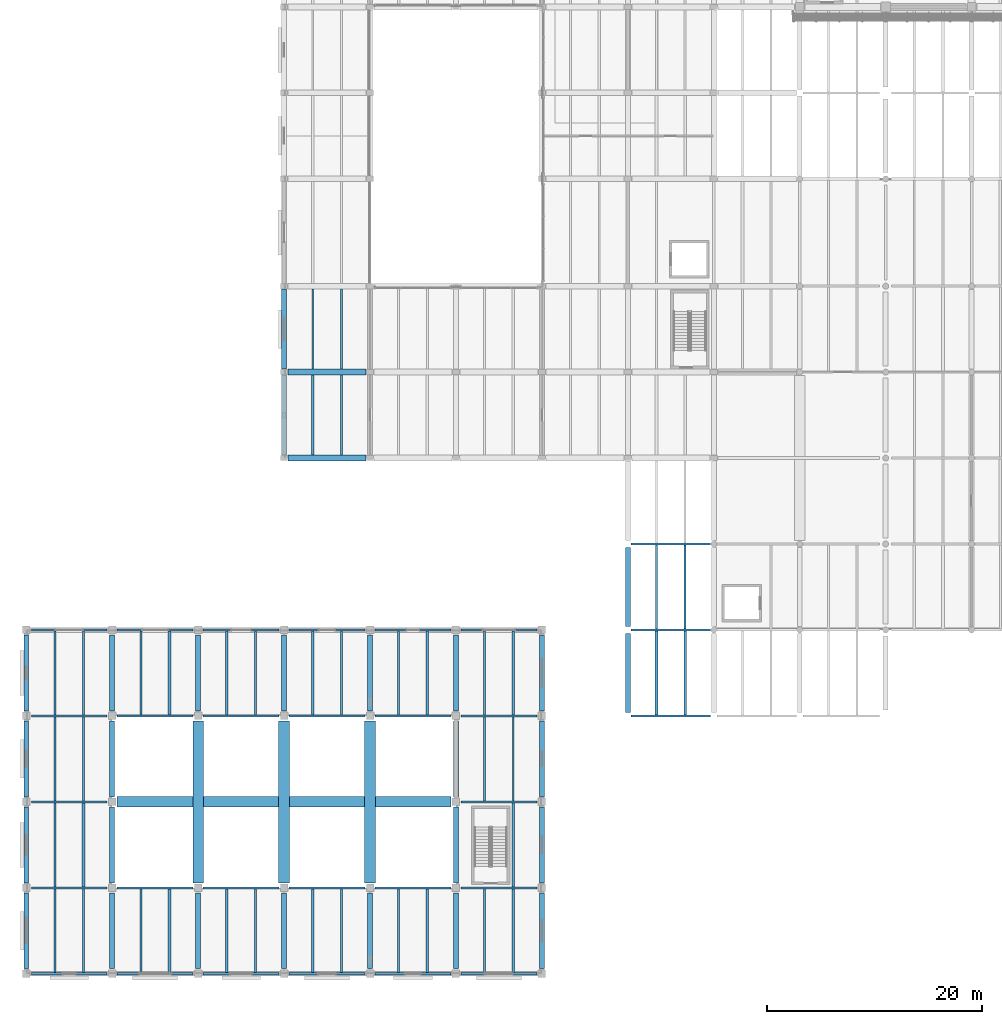
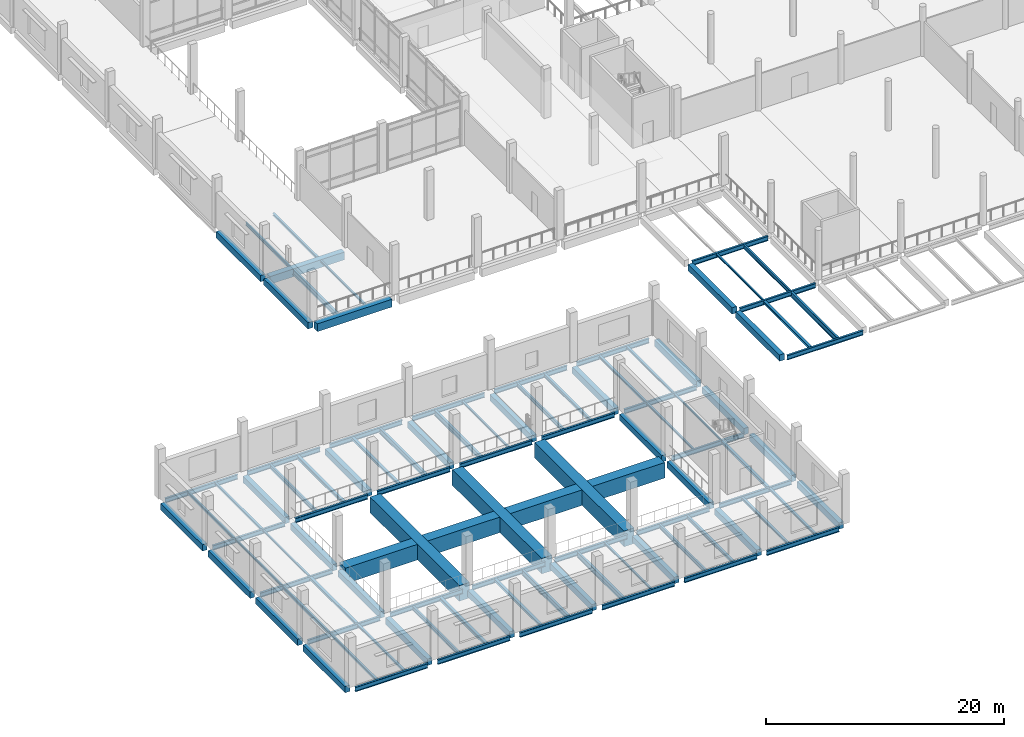
# One storey, part 4 of 61: 100 beams.
"""IFC4 building model written with IfcOpenShell, lengths in metres."""

from ifc_helpers import new_model, si_unit, direction, frame, origin, origin_2d, place, context, subcontext, project, spatial, rectangle, i_section, extrude, material, material_profile, profile_set, type_object, element, save


model = new_model("IFC4")

# Units and contexts
model_context = context("Model", 3, precision=1e-05, world=origin(), true_north=direction((0.0, 1.0)))
body_context = subcontext(model_context, "Body", "Model", "MODEL_VIEW")
ifc_project = project(units=[si_unit("LENGTHUNIT", "METRE"), si_unit("AREAUNIT", "SQUARE_METRE"), si_unit("VOLUMEUNIT", "CUBIC_METRE"), si_unit("PLANEANGLEUNIT", "RADIAN"), si_unit("MASSUNIT", "GRAM", prefix="KILO")], contexts=[model_context])

# Site, building, storey
site_placement = place(None, origin())
site = spatial("IfcSite", under=ifc_project, at=site_placement, CompositionType="ELEMENT")
building_placement = place(site_placement, origin())
building = spatial("IfcBuilding", under=site, at=building_placement, Name="Pecanmere Concourse Central Library", CompositionType="ELEMENT")
storey_placement = place(building_placement, frame((0.0, 0.0, 5.39990234375)))
storey = spatial("IfcBuildingStorey", under=building, at=storey_placement, Name="L02", CompositionType="ELEMENT", Elevation=5.39990234375)

# Beams
ifc_material_1 = material(Name="Concrete C40/50", Category="concrete")
ifc_material_profile_1 = material_profile(ifc_material_1, rectangle(XDim=0.4599609375, YDim=0.64990234375, at=origin_2d()), Name="RC 460x650")
ifc_profile_set_1 = profile_set([ifc_material_profile_1], Name="Concrete C40/50")
beam_type_1 = type_object("IfcBeamType", Name="GRD_460x650", PredefinedType="USERDEFINED", material=ifc_profile_set_1)
for number, where, z_axis, x_axis, name in (
    (1, (0.0, 0.469970703125, -0.69482421875), (0.0, 1.0, 0.0), (-1.0, 0.0, 0.0), "Primary Girder Y L02-0961"),
    (2, (0.0, 8.469970703125, -0.69482421875), (0.0, 1.0, 0.0), (-1.0, 0.0, 0.0), "Primary Girder Y L02-0962"),
    (3, (0.0, 16.469970703125, -0.69482421875), (0.0, 1.0, 0.0), (-1.0, 0.0, 0.0), "Primary Girder Y L02-0963"),
    (4, (0.0, 24.469970703125, -0.69482421875), (0.0, 1.0, 0.0), (-1.0, 0.0, 0.0), "Primary Girder Y L02-0964"),
    (5, (8.0, 0.469970703125, -0.69482421875), (0.0, 1.0, 0.0), (-1.0, 0.0, 0.0), "Primary Girder Y L02-0965"),
    (6, (8.0, 8.469970703125, -0.69482421875), (0.0, 1.0, 0.0), (-1.0, 0.0, 0.0), "Primary Girder Y L02-0966"),
    (7, (8.0, 16.469970703125, -0.69482421875), (0.0, 1.0, 0.0), (-1.0, 0.0, 0.0), "Primary Girder Y L02-0967"),
    (8, (8.0, 24.469970703125, -0.69482421875), (0.0, 1.0, 0.0), (-1.0, 0.0, 0.0), "Primary Girder Y L02-0968"),
    (9, (16.0, 0.469970703125, -0.69482421875), (0.0, 1.0, 0.0), (-1.0, 0.0, 0.0), "Primary Girder Y L02-0969"),
    (10, (16.0, 24.469970703125, -0.69482421875), (0.0, 1.0, 0.0), (-1.0, 0.0, 0.0), "Primary Girder Y L02-0971"),
    (11, (24.0, 0.469970703125, -0.69482421875), (0.0, 1.0, 0.0), (-1.0, 0.0, 0.0), "Primary Girder Y L02-0972"),
    (12, (24.0, 24.469970703125, -0.69482421875), (0.0, 1.0, 0.0), (-1.0, 0.0, 0.0), "Primary Girder Y L02-0974"),
):
    element("IfcBeam", number, at=place(storey_placement, frame(where, z_axis=z_axis, x_axis=x_axis)), inside=storey, type_object=beam_type_1, Name=name, ObjectType="GIRDER", PredefinedType="USERDEFINED", context=body_context, shape_type="SweptSolid", body=[
        extrude(rectangle(XDim=0.4599609375, YDim=0.64990234375, at=origin_2d()), origin(), (0.0, 0.0, 1.0), 7.06005859375),
    ])
for number, where, z_axis, x_axis, name in (
    (13, (24.0, 48.27001953125, -0.69482421875), (0.0, 1.0, 0.0), (-1.0, 0.0, 0.0), "Primary Girder Y L02-0975"),
    (14, (24.0, 56.27001953125, -0.69482421875), (0.0, 1.0, 0.0), (-1.0, 0.0, 0.0), "Primary Girder Y L02-0976"),
):
    element("IfcBeam", number, at=place(storey_placement, frame(where, z_axis=z_axis, x_axis=x_axis)), inside=storey, type_object=beam_type_1, Name=name, ObjectType="GIRDER", PredefinedType="USERDEFINED", context=body_context, shape_type="SweptSolid", body=[
        extrude(rectangle(XDim=0.4599609375, YDim=0.64990234375, at=origin_2d()), origin(), (0.0, 0.0, 1.0), 7.4599609375),
    ])
for number, where, z_axis, x_axis, name in (
    (15, (32.0, 0.469970703125, -0.69482421875), (0.0, 1.0, 0.0), (-1.0, 0.0, 0.0), "Primary Girder Y L02-0982"),
    (16, (32.0, 24.469970703125, -0.69482421875), (0.0, 1.0, 0.0), (-1.0, 0.0, 0.0), "Primary Girder Y L02-0984"),
    (17, (40.0, 0.469970703125, -0.69482421875), (0.0, 1.0, 0.0), (-1.0, 0.0, 0.0), "Primary Girder Y L02-0992"),
    (18, (40.0, 8.469970703125, -0.69482421875), (0.0, 1.0, 0.0), (-1.0, 0.0, 0.0), "Primary Girder Y L02-0993"),
    (19, (40.0, 16.469970703125, -0.69482421875), (0.0, 1.0, 0.0), (-1.0, 0.0, 0.0), "Primary Girder Y L02-0994"),
    (20, (40.0, 24.469970703125, -0.69482421875), (0.0, 1.0, 0.0), (-1.0, 0.0, 0.0), "Primary Girder Y L02-0995"),
    (21, (48.0, 0.469970703125, -0.69482421875), (0.0, 1.0, 0.0), (-1.0, 0.0, 0.0), "Primary Girder Y L02-1000"),
    (22, (48.0, 8.469970703125, -0.69482421875), (0.0, 1.0, 0.0), (-1.0, 0.0, 0.0), "Primary Girder Y L02-1001"),
    (23, (48.0, 16.469970703125, -0.69482421875), (0.0, 1.0, 0.0), (-1.0, 0.0, 0.0), "Primary Girder Y L02-1002"),
    (24, (48.0, 24.469970703125, -0.69482421875), (0.0, 1.0, 0.0), (-1.0, 0.0, 0.0), "Primary Girder Y L02-1003"),
):
    element("IfcBeam", number, at=place(storey_placement, frame(where, z_axis=z_axis, x_axis=x_axis)), inside=storey, type_object=beam_type_1, Name=name, ObjectType="GIRDER", PredefinedType="USERDEFINED", context=body_context, shape_type="SweptSolid", body=[
        extrude(rectangle(XDim=0.4599609375, YDim=0.64990234375, at=origin_2d()), origin(), (0.0, 0.0, 1.0), 7.06005859375),
    ])
for number, where, z_axis, x_axis, name in (
    (25, (56.0, 24.31005859375, -0.69482421875), (0.0, 1.0, 0.0), (-1.0, 0.0, 0.0), "Primary Girder Y L02-1011"),
    (26, (56.0, 32.31005859375, -0.69482421875), (0.0, 1.0, 0.0), (-1.0, 0.0, 0.0), "Primary Girder Y L02-1012"),
):
    element("IfcBeam", number, at=place(storey_placement, frame(where, z_axis=z_axis, x_axis=x_axis)), inside=storey, type_object=beam_type_1, Name=name, ObjectType="GIRDER", PredefinedType="USERDEFINED", context=body_context, shape_type="SweptSolid", body=[
        extrude(rectangle(XDim=0.4599609375, YDim=0.64990234375, at=origin_2d()), origin(), (0.0, 0.0, 1.0), 7.3798828125),
    ])
ifc_material_2 = material(Name="Concrete C40/50", Category="concrete")
ifc_material_profile_2 = material_profile(ifc_material_2, rectangle(XDim=0.5400390625, YDim=0.800048828125, at=origin_2d()), Name="RC 540x800")
ifc_profile_set_2 = profile_set([ifc_material_profile_2], Name="Concrete C40/50")
beam_type_2 = type_object("IfcBeamType", Name="GRD_540x800", PredefinedType="USERDEFINED", material=ifc_profile_set_2)
for number, where, z_axis, x_axis, name in (
    (27, (24.3701171875, 48.0, -0.77001953125), (1.0, 0.0, 0.0), (0.0, 1.0, 0.0), "Primary Girder X L02-0838"),
    (28, (24.3701171875, 56.0, -0.77001953125), (1.0, 0.0, 0.0), (0.0, 1.0, 0.0), "Primary Girder X L02-0853"),
):
    element("IfcBeam", number, at=place(storey_placement, frame(where, z_axis=z_axis, x_axis=x_axis)), inside=storey, type_object=beam_type_2, Name=name, ObjectType="GIRDER", PredefinedType="USERDEFINED", context=body_context, shape_type="SweptSolid", body=[
        extrude(rectangle(XDim=0.5400390625, YDim=0.800048828125, at=origin_2d()), origin(), (0.0, 0.0, 1.0), 7.259765625),
    ])
ifc_material_3 = material(Name="Structural steel ASTM A992 Grade 50", Category="steel")
ifc_material_profile_3 = material_profile(ifc_material_3, i_section(OverallWidth=0.152099609375, OverallDepth=0.152099609375, WebThickness=0.005859375, FlangeThickness=0.006591796875, at=origin_2d()), Name="W150x22.5")
ifc_profile_set_3 = profile_set([ifc_material_profile_3], Name="Structural steel ASTM A992 Grade 50")
beam_type_3 = type_object("IfcBeamType", Name="SBM_W150x22", PredefinedType="LINTEL", material=ifc_profile_set_3)
for number, where, z_axis, x_axis, name in (
    (29, (5.333251953125, 16.096923828125, -0.44580078125), (0.0, 1.0, 0.0), (-1.0, 0.0, 0.0), "Secondary Floor Joist L02-1173"),
    (30, (45.333251953125, 16.096923828125, -0.44580078125), (0.0, 1.0, 0.0), (-1.0, 0.0, 0.0), "Secondary Floor Joist L02-1218"),
    (31, (58.666748046875, 32.096923828125, -0.44580078125), (0.0, 1.0, 0.0), (-1.0, 0.0, 0.0), "Secondary Floor Joist L02-1245"),
):
    element("IfcBeam", number, at=place(storey_placement, frame(where, z_axis=z_axis, x_axis=x_axis)), inside=storey, type_object=beam_type_3, Name=name, PredefinedType="LINTEL", context=body_context, shape_type="SweptSolid", body=[
        extrude(i_section(OverallWidth=0.152099609375, OverallDepth=0.152099609375, WebThickness=0.005859375, FlangeThickness=0.006591796875, at=origin_2d()), origin(), (0.0, 0.0, 1.0), 7.80615234375),
    ])
ifc_material_4 = material(Name="Structural steel ASTM A992 Grade 50", Category="steel")
ifc_material_profile_4 = material_profile(ifc_material_4, i_section(OverallWidth=0.1650390625, OverallDepth=0.200927734375, WebThickness=0.006103515625, FlangeThickness=0.01025390625, at=origin_2d()), Name="W200x35.9")
ifc_profile_set_4 = profile_set([ifc_material_profile_4], Name="Structural steel ASTM A992 Grade 50")
beam_type_4 = type_object("IfcBeamType", Name="SBM_W200x36", PredefinedType="LINTEL", material=ifc_profile_set_4)
for number, where, z_axis, x_axis, name in (
    (32, (2.666748046875, 16.096923828125, -0.470458984375), (0.0, 1.0, 0.0), (-1.0, 0.0, 0.0), "Secondary Floor Joist L02-1172"),
    (33, (29.333251953125, 0.096923828125, -0.470458984375), (0.0, 1.0, 0.0), (-1.0, 0.0, 0.0), "Secondary Floor Joist L02-1185"),
    (34, (29.333251953125, 24.096923828125, -0.470458984375), (0.0, 1.0, 0.0), (-1.0, 0.0, 0.0), "Secondary Floor Joist L02-1187"),
):
    element("IfcBeam", number, at=place(storey_placement, frame(where, z_axis=z_axis, x_axis=x_axis)), inside=storey, type_object=beam_type_4, Name=name, PredefinedType="LINTEL", context=body_context, shape_type="SweptSolid", body=[
        extrude(i_section(OverallWidth=0.1650390625, OverallDepth=0.200927734375, WebThickness=0.006103515625, FlangeThickness=0.01025390625, at=origin_2d()), origin(), (0.0, 0.0, 1.0), 7.80615234375),
    ])
beam_1_placement = place(storey_placement, frame((29.333251953125, 48.27001953125, -0.470458984375), z_axis=(0.0, 1.0, 0.0), x_axis=(-1.0, 0.0, 0.0)))
element("IfcBeam", 35, at=beam_1_placement, inside=storey, type_object=beam_type_4, Name="Secondary Floor Joist L02-1189", PredefinedType="LINTEL", context=body_context, shape_type="SweptSolid", body=[
    extrude(i_section(OverallWidth=0.1650390625, OverallDepth=0.200927734375, WebThickness=0.006103515625, FlangeThickness=0.01025390625, at=origin_2d()), origin(), (0.0, 0.0, 1.0), 7.4599609375),
])
beam_2_placement = place(storey_placement, frame((42.666748046875, 16.096923828125, -0.470458984375), z_axis=(0.0, 1.0, 0.0), x_axis=(-1.0, 0.0, 0.0)))
element("IfcBeam", 36, at=beam_2_placement, inside=storey, type_object=beam_type_4, Name="Secondary Floor Joist L02-1217", PredefinedType="LINTEL", context=body_context, shape_type="SweptSolid", body=[
    extrude(i_section(OverallWidth=0.1650390625, OverallDepth=0.200927734375, WebThickness=0.006103515625, FlangeThickness=0.01025390625, at=origin_2d()), origin(), (0.0, 0.0, 1.0), 7.80615234375),
])
ifc_material_5 = material(Name="Structural steel ASTM A992 Grade 50", Category="steel")
ifc_material_profile_5 = material_profile(ifc_material_5, i_section(OverallWidth=0.2041015625, OverallDepth=0.2060546875, WebThickness=0.0078125, FlangeThickness=0.0126953125, at=origin_2d()), Name="W200x52")
ifc_profile_set_5 = profile_set([ifc_material_profile_5], Name="Structural steel ASTM A992 Grade 50")
beam_type_5 = type_object("IfcBeamType", Name="SBM_W200x52", PredefinedType="JOIST", material=ifc_profile_set_5)
for number, where, z_axis, x_axis, name in (
    (37, (5.333251953125, 0.096923828125, -0.472900390625), (0.0, 1.0, 0.0), (-1.0, 0.0, 0.0), "Secondary Floor Joist L02-1169"),
    (38, (5.333251953125, 24.096923828125, -0.472900390625), (0.0, 1.0, 0.0), (-1.0, 0.0, 0.0), "Secondary Floor Joist L02-1175"),
    (39, (45.333251953125, 0.096923828125, -0.472900390625), (0.0, 1.0, 0.0), (-1.0, 0.0, 0.0), "Secondary Floor Joist L02-1215"),
    (40, (45.333251953125, 24.096923828125, -0.472900390625), (0.0, 1.0, 0.0), (-1.0, 0.0, 0.0), "Secondary Floor Joist L02-1220"),
):
    element("IfcBeam", number, at=place(storey_placement, frame(where, z_axis=z_axis, x_axis=x_axis)), inside=storey, type_object=beam_type_5, Name=name, PredefinedType="JOIST", context=body_context, shape_type="SweptSolid", body=[
        extrude(i_section(OverallWidth=0.2041015625, OverallDepth=0.2060546875, WebThickness=0.0078125, FlangeThickness=0.0126953125, at=origin_2d()), origin(), (0.0, 0.0, 1.0), 7.80615234375),
    ])
ifc_material_6 = material(Name="Structural steel ASTM A992 Grade 50", Category="steel")
ifc_material_profile_6 = material_profile(ifc_material_6, i_section(OverallWidth=0.201904296875, OverallDepth=0.2470703125, WebThickness=0.00732421875, FlangeThickness=0.010986328125, at=origin_2d()), Name="W250x49.1")
ifc_profile_set_6 = profile_set([ifc_material_profile_6], Name="Structural steel ASTM A992 Grade 50")
beam_type_6 = type_object("IfcBeamType", Name="SBM_W250x49", PredefinedType="JOIST", material=ifc_profile_set_6)
for number, where, z_axis, x_axis, name in (
    (41, (2.666748046875, 0.096923828125, -0.493408203125), (0.0, 1.0, 0.0), (-1.0, 0.0, 0.0), "Secondary Floor Joist L02-1168"),
    (42, (2.666748046875, 24.096923828125, -0.493408203125), (0.0, 1.0, 0.0), (-1.0, 0.0, 0.0), "Secondary Floor Joist L02-1174"),
):
    element("IfcBeam", number, at=place(storey_placement, frame(where, z_axis=z_axis, x_axis=x_axis)), inside=storey, type_object=beam_type_6, Name=name, PredefinedType="JOIST", context=body_context, shape_type="SweptSolid", body=[
        extrude(i_section(OverallWidth=0.201904296875, OverallDepth=0.2470703125, WebThickness=0.00732421875, FlangeThickness=0.010986328125, at=origin_2d()), origin(), (0.0, 0.0, 1.0), 7.80615234375),
    ])
beam_3_placement = place(storey_placement, frame((29.333251953125, 56.27001953125, -0.493408203125), z_axis=(0.0, 1.0, 0.0), x_axis=(-1.0, 0.0, 0.0)))
element("IfcBeam", 43, at=beam_3_placement, inside=storey, type_object=beam_type_6, Name="Secondary Floor Joist L02-1191", PredefinedType="JOIST", context=body_context, shape_type="SweptSolid", body=[
    extrude(i_section(OverallWidth=0.201904296875, OverallDepth=0.2470703125, WebThickness=0.00732421875, FlangeThickness=0.010986328125, at=origin_2d()), origin(), (0.0, 0.0, 1.0), 7.4599609375),
])
for number, where, z_axis, x_axis, name in (
    (44, (42.666748046875, 0.096923828125, -0.493408203125), (0.0, 1.0, 0.0), (-1.0, 0.0, 0.0), "Secondary Floor Joist L02-1214"),
    (45, (42.666748046875, 24.096923828125, -0.493408203125), (0.0, 1.0, 0.0), (-1.0, 0.0, 0.0), "Secondary Floor Joist L02-1219"),
):
    element("IfcBeam", number, at=place(storey_placement, frame(where, z_axis=z_axis, x_axis=x_axis)), inside=storey, type_object=beam_type_6, Name=name, PredefinedType="JOIST", context=body_context, shape_type="SweptSolid", body=[
        extrude(i_section(OverallWidth=0.201904296875, OverallDepth=0.2470703125, WebThickness=0.00732421875, FlangeThickness=0.010986328125, at=origin_2d()), origin(), (0.0, 0.0, 1.0), 7.80615234375),
    ])
ifc_material_7 = material(Name="Structural steel ASTM A992 Grade 50", Category="steel")
ifc_material_profile_7 = material_profile(ifc_material_7, i_section(OverallWidth=0.25390625, OverallDepth=0.2529296875, WebThickness=0.008544921875, FlangeThickness=0.01416015625, at=origin_2d()), Name="W250x73")
ifc_profile_set_7 = profile_set([ifc_material_profile_7], Name="Structural steel ASTM A992 Grade 50")
beam_type_7 = type_object("IfcBeamType", Name="SBM_W250x73", PredefinedType="BEAM", material=ifc_profile_set_7)
for number, where, z_axis, x_axis, name in (
    (46, (5.333251953125, 8.096923828125, -0.496337890625), (0.0, 1.0, 0.0), (-1.0, 0.0, 0.0), "Secondary Floor Joist L02-1171"),
    (47, (18.666748046875, 0.096923828125, -0.496337890625), (0.0, 1.0, 0.0), (-1.0, 0.0, 0.0), "Secondary Floor Joist L02-1180"),
    (48, (18.666748046875, 24.096923828125, -0.496337890625), (0.0, 1.0, 0.0), (-1.0, 0.0, 0.0), "Secondary Floor Joist L02-1182"),
    (49, (45.333251953125, 8.096923828125, -0.496337890625), (0.0, 1.0, 0.0), (-1.0, 0.0, 0.0), "Secondary Floor Joist L02-1216"),
    (50, (58.666748046875, 24.096923828125, -0.496337890625), (0.0, 1.0, 0.0), (-1.0, 0.0, 0.0), "Secondary Floor Joist L02-1243"),
):
    element("IfcBeam", number, at=place(storey_placement, frame(where, z_axis=z_axis, x_axis=x_axis)), inside=storey, type_object=beam_type_7, Name=name, PredefinedType="BEAM", context=body_context, shape_type="SweptSolid", body=[
        extrude(i_section(OverallWidth=0.25390625, OverallDepth=0.2529296875, WebThickness=0.008544921875, FlangeThickness=0.01416015625, at=origin_2d()), origin(), (0.0, 0.0, 1.0), 7.80615234375),
    ])
ifc_material_8 = material(Name="Structural steel ASTM A992 Grade 50", Category="steel")
ifc_material_profile_8 = material_profile(ifc_material_8, i_section(OverallWidth=0.1669921875, OverallDepth=0.31689453125, WebThickness=0.007568359375, FlangeThickness=0.01318359375, at=origin_2d()), Name="W310x52")
ifc_profile_set_8 = profile_set([ifc_material_profile_8], Name="Structural steel ASTM A992 Grade 50")
beam_type_8 = type_object("IfcBeamType", Name="SBM_W310x52", PredefinedType="JOIST", material=ifc_profile_set_8)
beam_4_placement = place(storey_placement, frame((26.666748046875, 56.27001953125, -0.5283203125), z_axis=(0.0, 1.0, 0.0), x_axis=(-1.0, 0.0, 0.0)))
element("IfcBeam", 51, at=beam_4_placement, inside=storey, type_object=beam_type_8, Name="Secondary Floor Joist L02-1190", PredefinedType="JOIST", context=body_context, shape_type="SweptSolid", body=[
    extrude(i_section(OverallWidth=0.1669921875, OverallDepth=0.31689453125, WebThickness=0.007568359375, FlangeThickness=0.01318359375, at=origin_2d()), origin(), (0.0, 0.0, 1.0), 7.4599609375),
])
ifc_material_9 = material(Name="Structural steel ASTM A992 Grade 50", Category="steel")
ifc_material_profile_9 = material_profile(ifc_material_9, i_section(OverallWidth=0.205078125, OverallDepth=0.31005859375, WebThickness=0.009521484375, FlangeThickness=0.016357421875, at=origin_2d()), Name="W310x74")
ifc_profile_set_9 = profile_set([ifc_material_profile_9], Name="Structural steel ASTM A992 Grade 50")
beam_type_9 = type_object("IfcBeamType", Name="SBM_W310x74", PredefinedType="BEAM", material=ifc_profile_set_9)
beam_5_placement = place(storey_placement, frame((2.666748046875, 8.096923828125, -0.52490234375), z_axis=(0.0, 1.0, 0.0), x_axis=(-1.0, 0.0, 0.0)))
element("IfcBeam", 52, at=beam_5_placement, inside=storey, type_object=beam_type_9, Name="Secondary Floor Joist L02-1170", PredefinedType="BEAM", context=body_context, shape_type="SweptSolid", body=[
    extrude(i_section(OverallWidth=0.205078125, OverallDepth=0.31005859375, WebThickness=0.009521484375, FlangeThickness=0.016357421875, at=origin_2d()), origin(), (0.0, 0.0, 1.0), 7.80615234375),
])
ifc_material_10 = material(Name="Structural steel ASTM A992 Grade 50", Category="steel")
ifc_material_profile_10 = material_profile(ifc_material_10, i_section(OverallWidth=0.202880859375, OverallDepth=0.346923828125, WebThickness=0.0078125, FlangeThickness=0.013427734375, at=origin_2d()), Name="W360x64")
ifc_profile_set_10 = profile_set([ifc_material_profile_10], Name="Structural steel ASTM A992 Grade 50")
beam_type_10 = type_object("IfcBeamType", Name="SBM_W360x64", PredefinedType="JOIST", material=ifc_profile_set_10)
for number, where, z_axis, x_axis, name in (
    (53, (37.333251953125, 0.096923828125, -0.54345703125), (0.0, 1.0, 0.0), (-1.0, 0.0, 0.0), "Secondary Floor Joist L02-1203"),
    (54, (37.333251953125, 24.096923828125, -0.54345703125), (0.0, 1.0, 0.0), (-1.0, 0.0, 0.0), "Secondary Floor Joist L02-1205"),
):
    element("IfcBeam", number, at=place(storey_placement, frame(where, z_axis=z_axis, x_axis=x_axis)), inside=storey, type_object=beam_type_10, Name=name, PredefinedType="JOIST", context=body_context, shape_type="SweptSolid", body=[
        extrude(i_section(OverallWidth=0.202880859375, OverallDepth=0.346923828125, WebThickness=0.0078125, FlangeThickness=0.013427734375, at=origin_2d()), origin(), (0.0, 0.0, 1.0), 7.80615234375),
    ])
ifc_material_11 = material(Name="Structural steel ASTM A992 Grade 50", Category="steel")
ifc_material_profile_11 = material_profile(ifc_material_11, i_section(OverallWidth=0.25390625, OverallDepth=0.35302734375, WebThickness=0.009521484375, FlangeThickness=0.016357421875, at=origin_2d()), Name="W360x91")
ifc_profile_set_11 = profile_set([ifc_material_profile_11], Name="Structural steel ASTM A992 Grade 50")
beam_type_11 = type_object("IfcBeamType", Name="SBM_W360x91", PredefinedType="BEAM", material=ifc_profile_set_11)
for number, where, z_axis, x_axis, name in (
    (55, (13.333251953125, 0.096923828125, -0.54638671875), (0.0, 1.0, 0.0), (-1.0, 0.0, 0.0), "Secondary Floor Joist L02-1177"),
    (56, (13.333251953125, 24.096923828125, -0.54638671875), (0.0, 1.0, 0.0), (-1.0, 0.0, 0.0), "Secondary Floor Joist L02-1179"),
):
    element("IfcBeam", number, at=place(storey_placement, frame(where, z_axis=z_axis, x_axis=x_axis)), inside=storey, type_object=beam_type_11, Name=name, PredefinedType="BEAM", context=body_context, shape_type="SweptSolid", body=[
        extrude(i_section(OverallWidth=0.25390625, OverallDepth=0.35302734375, WebThickness=0.009521484375, FlangeThickness=0.016357421875, at=origin_2d()), origin(), (0.0, 0.0, 1.0), 7.80615234375),
    ])
ifc_material_12 = material(Name="Structural steel ASTM A992 Grade 50", Category="steel")
ifc_material_profile_12 = material_profile(ifc_material_12, i_section(OverallWidth=0.177978515625, OverallDepth=0.406982421875, WebThickness=0.0078125, FlangeThickness=0.0126953125, at=origin_2d()), Name="W410x60")
ifc_profile_set_12 = profile_set([ifc_material_profile_12], Name="Structural steel ASTM A992 Grade 50")
beam_type_12 = type_object("IfcBeamType", Name="SBM_W410x60", PredefinedType="JOIST", material=ifc_profile_set_12)
for number, where, z_axis, x_axis, name in (
    (57, (34.666748046875, 0.096923828125, -0.573486328125), (0.0, 1.0, 0.0), (-1.0, 0.0, 0.0), "Secondary Floor Joist L02-1202"),
    (58, (34.666748046875, 24.096923828125, -0.573486328125), (0.0, 1.0, 0.0), (-1.0, 0.0, 0.0), "Secondary Floor Joist L02-1204"),
    (59, (61.333251953125, 32.096923828125, -0.573486328125), (0.0, 1.0, 0.0), (-1.0, 0.0, 0.0), "Secondary Floor Joist L02-1246"),
):
    element("IfcBeam", number, at=place(storey_placement, frame(where, z_axis=z_axis, x_axis=x_axis)), inside=storey, type_object=beam_type_12, Name=name, PredefinedType="JOIST", context=body_context, shape_type="SweptSolid", body=[
        extrude(i_section(OverallWidth=0.177978515625, OverallDepth=0.406982421875, WebThickness=0.0078125, FlangeThickness=0.0126953125, at=origin_2d()), origin(), (0.0, 0.0, 1.0), 7.80615234375),
    ])
ifc_material_13 = material(Name="Structural steel ASTM A992 Grade 50", Category="steel")
ifc_material_profile_13 = material_profile(ifc_material_13, i_section(OverallWidth=0.180908203125, OverallDepth=0.4169921875, WebThickness=0.010986328125, FlangeThickness=0.018310546875, at=origin_2d()), Name="W410x85")
ifc_profile_set_13 = profile_set([ifc_material_profile_13], Name="Structural steel ASTM A992 Grade 50")
beam_type_13 = type_object("IfcBeamType", Name="SBM_W410x85", PredefinedType="BEAM", material=ifc_profile_set_13)
for number, where, z_axis, x_axis, name in (
    (60, (10.666748046875, 0.096923828125, -0.578369140625), (0.0, 1.0, 0.0), (-1.0, 0.0, 0.0), "Secondary Floor Joist L02-1176"),
    (61, (10.666748046875, 24.096923828125, -0.578369140625), (0.0, 1.0, 0.0), (-1.0, 0.0, 0.0), "Secondary Floor Joist L02-1178"),
):
    element("IfcBeam", number, at=place(storey_placement, frame(where, z_axis=z_axis, x_axis=x_axis)), inside=storey, type_object=beam_type_13, Name=name, PredefinedType="BEAM", context=body_context, shape_type="SweptSolid", body=[
        extrude(i_section(OverallWidth=0.180908203125, OverallDepth=0.4169921875, WebThickness=0.010986328125, FlangeThickness=0.018310546875, at=origin_2d()), origin(), (0.0, 0.0, 1.0), 7.80615234375),
    ])
ifc_material_14 = material(Name="Structural steel ASTM A992 Grade 50", Category="steel")
ifc_material_profile_14 = material_profile(ifc_material_14, i_section(OverallWidth=0.194091796875, OverallDepth=0.468994140625, WebThickness=0.0126953125, FlangeThickness=0.0205078125, at=origin_2d()), Name="W460x106")
ifc_profile_set_14 = profile_set([ifc_material_profile_14], Name="Structural steel ASTM A992 Grade 50")
beam_type_14 = type_object("IfcBeamType", Name="SBM_W460x106", PredefinedType="USERDEFINED", material=ifc_profile_set_14)
for number, where, z_axis, x_axis, name in (
    (62, (0.469970703125, 0.0, -0.6044921875), (1.0, 0.0, 0.0), (0.0, 1.0, 0.0), "Primary Girder X L02-0759"),
    (63, (8.469970703125, 0.0, -0.6044921875), (1.0, 0.0, 0.0), (0.0, 1.0, 0.0), "Primary Girder X L02-0760"),
    (64, (16.469970703125, 0.0, -0.6044921875), (1.0, 0.0, 0.0), (0.0, 1.0, 0.0), "Primary Girder X L02-0761"),
    (65, (24.469970703125, 0.0, -0.6044921875), (1.0, 0.0, 0.0), (0.0, 1.0, 0.0), "Primary Girder X L02-0762"),
    (66, (32.469970703125, 0.0, -0.6044921875), (1.0, 0.0, 0.0), (0.0, 1.0, 0.0), "Primary Girder X L02-0763"),
    (67, (40.469970703125, 0.0, -0.6044921875), (1.0, 0.0, 0.0), (0.0, 1.0, 0.0), "Primary Girder X L02-0764"),
    (68, (0.469970703125, 8.0, -0.6044921875), (1.0, 0.0, 0.0), (0.0, 1.0, 0.0), "Primary Girder X L02-0771"),
    (69, (8.469970703125, 8.0, -0.6044921875), (1.0, 0.0, 0.0), (0.0, 1.0, 0.0), "Primary Girder X L02-0772"),
    (70, (16.469970703125, 8.0, -0.6044921875), (1.0, 0.0, 0.0), (0.0, 1.0, 0.0), "Primary Girder X L02-0773"),
    (71, (24.469970703125, 8.0, -0.6044921875), (1.0, 0.0, 0.0), (0.0, 1.0, 0.0), "Primary Girder X L02-0774"),
    (72, (32.469970703125, 8.0, -0.6044921875), (1.0, 0.0, 0.0), (0.0, 1.0, 0.0), "Primary Girder X L02-0775"),
    (73, (40.469970703125, 8.0, -0.6044921875), (1.0, 0.0, 0.0), (0.0, 1.0, 0.0), "Primary Girder X L02-0776"),
    (74, (0.469970703125, 16.0, -0.6044921875), (1.0, 0.0, 0.0), (0.0, 1.0, 0.0), "Primary Girder X L02-0783"),
    (75, (40.469970703125, 16.0, -0.6044921875), (1.0, 0.0, 0.0), (0.0, 1.0, 0.0), "Primary Girder X L02-0785"),
    (76, (0.469970703125, 24.0, -0.6044921875), (1.0, 0.0, 0.0), (0.0, 1.0, 0.0), "Primary Girder X L02-0792"),
    (77, (8.469970703125, 24.0, -0.6044921875), (1.0, 0.0, 0.0), (0.0, 1.0, 0.0), "Primary Girder X L02-0793"),
    (78, (16.469970703125, 24.0, -0.6044921875), (1.0, 0.0, 0.0), (0.0, 1.0, 0.0), "Primary Girder X L02-0794"),
    (79, (24.469970703125, 24.0, -0.6044921875), (1.0, 0.0, 0.0), (0.0, 1.0, 0.0), "Primary Girder X L02-0795"),
    (80, (32.469970703125, 24.0, -0.6044921875), (1.0, 0.0, 0.0), (0.0, 1.0, 0.0), "Primary Girder X L02-0796"),
    (81, (40.469970703125, 24.0, -0.6044921875), (1.0, 0.0, 0.0), (0.0, 1.0, 0.0), "Primary Girder X L02-0797"),
):
    element("IfcBeam", number, at=place(storey_placement, frame(where, z_axis=z_axis, x_axis=x_axis)), inside=storey, type_object=beam_type_14, Name=name, ObjectType="GIRDER", PredefinedType="USERDEFINED", context=body_context, shape_type="SweptSolid", body=[
        extrude(i_section(OverallWidth=0.194091796875, OverallDepth=0.468994140625, WebThickness=0.0126953125, FlangeThickness=0.0205078125, at=origin_2d()), origin(), (0.0, 0.0, 1.0), 7.06005859375),
    ])
beam_6_placement = place(storey_placement, frame((56.31005859375, 24.0, -0.6044921875), z_axis=(1.0, 0.0, 0.0), x_axis=(0.0, 1.0, 0.0)))
element("IfcBeam", 82, at=beam_6_placement, inside=storey, type_object=beam_type_14, Name="Primary Girder X L02-0798", ObjectType="GIRDER", PredefinedType="USERDEFINED", context=body_context, shape_type="SweptSolid", body=[
    extrude(i_section(OverallWidth=0.194091796875, OverallDepth=0.468994140625, WebThickness=0.0126953125, FlangeThickness=0.0205078125, at=origin_2d()), origin(), (0.0, 0.0, 1.0), 7.3798828125),
])
for number, where, z_axis, x_axis, name in (
    (83, (0.469970703125, 32.0, -0.6044921875), (1.0, 0.0, 0.0), (0.0, 1.0, 0.0), "Primary Girder X L02-0810"),
    (84, (8.469970703125, 32.0, -0.6044921875), (1.0, 0.0, 0.0), (0.0, 1.0, 0.0), "Primary Girder X L02-0811"),
    (85, (16.469970703125, 32.0, -0.6044921875), (1.0, 0.0, 0.0), (0.0, 1.0, 0.0), "Primary Girder X L02-0812"),
    (86, (24.469970703125, 32.0, -0.6044921875), (1.0, 0.0, 0.0), (0.0, 1.0, 0.0), "Primary Girder X L02-0813"),
    (87, (32.469970703125, 32.0, -0.6044921875), (1.0, 0.0, 0.0), (0.0, 1.0, 0.0), "Primary Girder X L02-0814"),
    (88, (40.469970703125, 32.0, -0.6044921875), (1.0, 0.0, 0.0), (0.0, 1.0, 0.0), "Primary Girder X L02-0815"),
):
    element("IfcBeam", number, at=place(storey_placement, frame(where, z_axis=z_axis, x_axis=x_axis)), inside=storey, type_object=beam_type_14, Name=name, ObjectType="GIRDER", PredefinedType="USERDEFINED", context=body_context, shape_type="SweptSolid", body=[
        extrude(i_section(OverallWidth=0.194091796875, OverallDepth=0.468994140625, WebThickness=0.0126953125, FlangeThickness=0.0205078125, at=origin_2d()), origin(), (0.0, 0.0, 1.0), 7.06005859375),
    ])
for number, where, z_axis, x_axis, name in (
    (89, (56.31005859375, 32.0, -0.6044921875), (1.0, 0.0, 0.0), (0.0, 1.0, 0.0), "Primary Girder X L02-0816"),
    (90, (56.31005859375, 40.0, -0.6044921875), (1.0, 0.0, 0.0), (0.0, 1.0, 0.0), "Primary Girder X L02-0830"),
):
    element("IfcBeam", number, at=place(storey_placement, frame(where, z_axis=z_axis, x_axis=x_axis)), inside=storey, type_object=beam_type_14, Name=name, ObjectType="GIRDER", PredefinedType="USERDEFINED", context=body_context, shape_type="SweptSolid", body=[
        extrude(i_section(OverallWidth=0.194091796875, OverallDepth=0.468994140625, WebThickness=0.0126953125, FlangeThickness=0.0205078125, at=origin_2d()), origin(), (0.0, 0.0, 1.0), 7.3798828125),
    ])
ifc_material_15 = material(Name="Structural steel ASTM A992 Grade 50", Category="steel")
ifc_material_profile_15 = material_profile(ifc_material_15, i_section(OverallWidth=0.2109375, OverallDepth=0.5390625, WebThickness=0.01171875, FlangeThickness=0.018798828125, at=origin_2d()), Name="W530x109")
ifc_profile_set_15 = profile_set([ifc_material_profile_15], Name="Structural steel ASTM A992 Grade 50")
beam_type_15 = type_object("IfcBeamType", Name="SBM_W530x109", PredefinedType="USERDEFINED", material=ifc_profile_set_15)
for number, where, z_axis, x_axis, name in (
    (91, (26.666748046875, 0.096923828125, -0.639404296875), (0.0, 1.0, 0.0), (-1.0, 0.0, 0.0), "Secondary Floor Joist L02-1184"),
    (92, (26.666748046875, 24.096923828125, -0.639404296875), (0.0, 1.0, 0.0), (-1.0, 0.0, 0.0), "Secondary Floor Joist L02-1186"),
):
    element("IfcBeam", number, at=place(storey_placement, frame(where, z_axis=z_axis, x_axis=x_axis)), inside=storey, type_object=beam_type_15, Name=name, ObjectType="GIRDER", PredefinedType="USERDEFINED", context=body_context, shape_type="SweptSolid", body=[
        extrude(i_section(OverallWidth=0.2109375, OverallDepth=0.5390625, WebThickness=0.01171875, FlangeThickness=0.018798828125, at=origin_2d()), origin(), (0.0, 0.0, 1.0), 7.80615234375),
    ])
beam_7_placement = place(storey_placement, frame((26.666748046875, 48.27001953125, -0.639404296875), z_axis=(0.0, 1.0, 0.0), x_axis=(-1.0, 0.0, 0.0)))
element("IfcBeam", 93, at=beam_7_placement, inside=storey, type_object=beam_type_15, Name="Secondary Floor Joist L02-1188", ObjectType="GIRDER", PredefinedType="USERDEFINED", context=body_context, shape_type="SweptSolid", body=[
    extrude(i_section(OverallWidth=0.2109375, OverallDepth=0.5390625, WebThickness=0.01171875, FlangeThickness=0.018798828125, at=origin_2d()), origin(), (0.0, 0.0, 1.0), 7.4599609375),
])
ifc_material_16 = material(Name="Structural steel ASTM A992 Grade 50", Category="steel")
ifc_material_profile_16 = material_profile(ifc_material_16, i_section(OverallWidth=0.208984375, OverallDepth=0.532958984375, WebThickness=0.01025390625, FlangeThickness=0.015625, at=origin_2d()), Name="W530x92")
ifc_profile_set_16 = profile_set([ifc_material_profile_16], Name="Structural steel ASTM A992 Grade 50")
beam_type_16 = type_object("IfcBeamType", Name="SBM_W530x92", PredefinedType="BEAM", material=ifc_profile_set_16)
for number, where, z_axis, x_axis, name in (
    (94, (21.333251953125, 0.096923828125, -0.636474609375), (0.0, 1.0, 0.0), (-1.0, 0.0, 0.0), "Secondary Floor Joist L02-1181"),
    (95, (21.333251953125, 24.096923828125, -0.636474609375), (0.0, 1.0, 0.0), (-1.0, 0.0, 0.0), "Secondary Floor Joist L02-1183"),
    (96, (61.333251953125, 24.096923828125, -0.636474609375), (0.0, 1.0, 0.0), (-1.0, 0.0, 0.0), "Secondary Floor Joist L02-1244"),
):
    element("IfcBeam", number, at=place(storey_placement, frame(where, z_axis=z_axis, x_axis=x_axis)), inside=storey, type_object=beam_type_16, Name=name, PredefinedType="BEAM", context=body_context, shape_type="SweptSolid", body=[
        extrude(i_section(OverallWidth=0.208984375, OverallDepth=0.532958984375, WebThickness=0.01025390625, FlangeThickness=0.015625, at=origin_2d()), origin(), (0.0, 0.0, 1.0), 7.80615234375),
    ])
ifc_material_17 = material(Name="Concrete C40/50", Category="concrete")
ifc_material_profile_17 = material_profile(ifc_material_17, rectangle(XDim=1.0, YDim=1.60009765625, at=origin_2d()), Name="RC 1000x1600")
ifc_profile_set_17 = profile_set([ifc_material_profile_17], Name="Concrete C40/50")
beam_type_17 = type_object("IfcBeamType", Name="TG_1000x1600", PredefinedType="USERDEFINED", material=ifc_profile_set_17)
beam_8_placement = place(storey_placement, frame((8.469970703125, 16.0, -1.169921875), z_axis=(1.0, 0.0, 0.0), x_axis=(0.0, 1.0, 0.0)))
element("IfcBeam", 97, at=beam_8_placement, inside=storey, type_object=beam_type_17, Name="Primary Girder X L02-0784", ObjectType="GIRDER", PredefinedType="USERDEFINED", context=body_context, shape_type="SweptSolid", body=[
    extrude(rectangle(XDim=1.0, YDim=1.60009765625, at=origin_2d()), origin(), (0.0, 0.0, 1.0), 31.06005859375),
])
for number, where, z_axis, x_axis, name in (
    (98, (16.0, 8.469970703125, -1.169921875), (0.0, 1.0, 0.0), (-1.0, 0.0, 0.0), "Primary Girder Y L02-0970"),
    (99, (24.0, 8.469970703125, -1.169921875), (0.0, 1.0, 0.0), (-1.0, 0.0, 0.0), "Primary Girder Y L02-0973"),
    (100, (32.0, 8.469970703125, -1.169921875), (0.0, 1.0, 0.0), (-1.0, 0.0, 0.0), "Primary Girder Y L02-0983"),
):
    element("IfcBeam", number, at=place(storey_placement, frame(where, z_axis=z_axis, x_axis=x_axis)), inside=storey, type_object=beam_type_17, Name=name, ObjectType="GIRDER", PredefinedType="USERDEFINED", context=body_context, shape_type="SweptSolid", body=[
        extrude(rectangle(XDim=1.0, YDim=1.60009765625, at=origin_2d()), origin(), (0.0, 0.0, 1.0), 15.06005859375),
    ])

save(model, "model.ifc")
